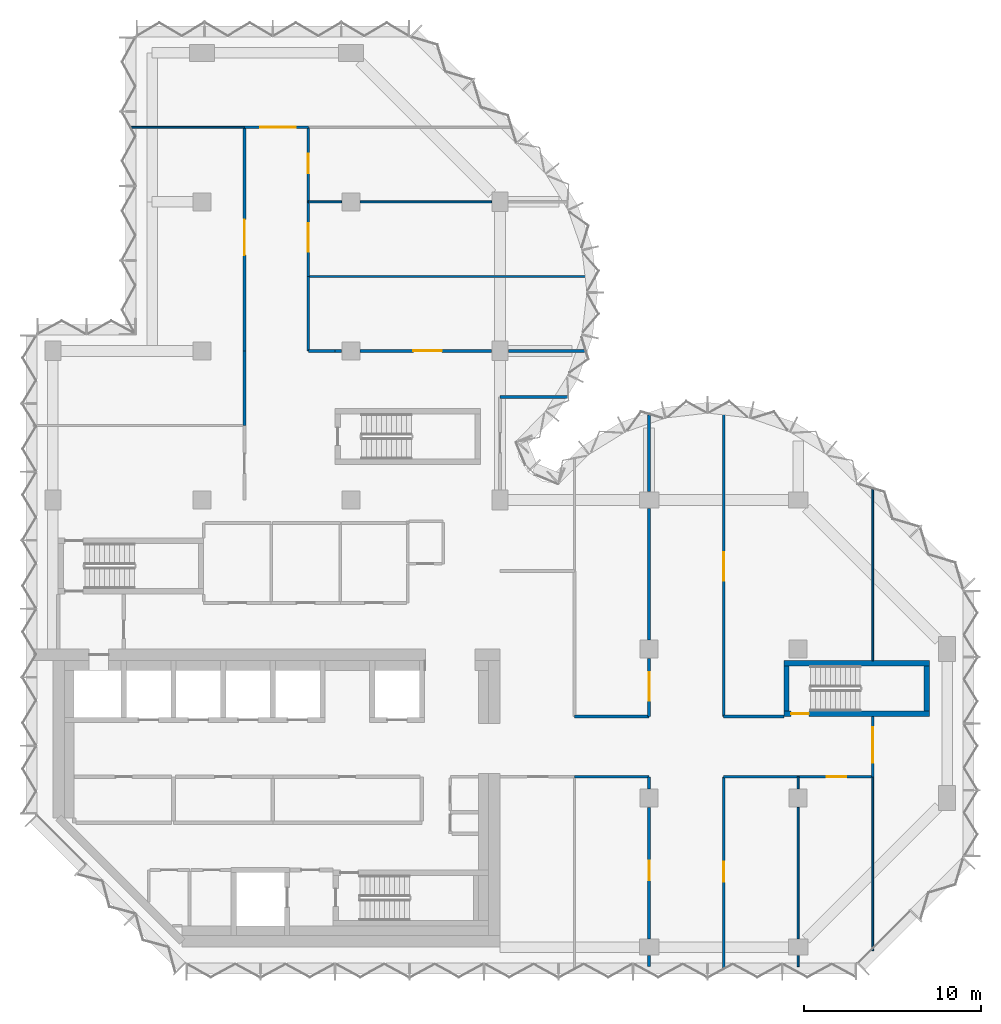
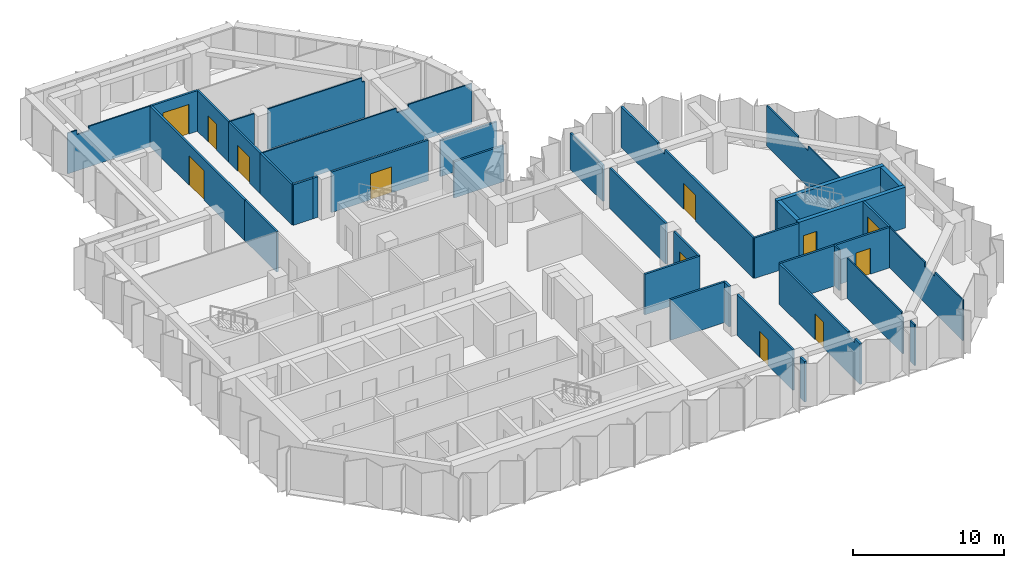
# One storey, part 7 of 10: 38 walls, 12 doors, 12 openings.
"""IFC4 building model written with IfcOpenShell, lengths in metres."""

import ifcopenshell
import ifcopenshell.guid

model = None  # the IFC model being written
_history = None  # IfcOwnerHistory: only IFC2X3 demands one
_inside = {}  # id of a spatial element -> (the spatial element, [elements in it])
_under = {}  # id of a project, library or spatial element -> (it, [spatial elements below it])
_declared = {}  # id of a project -> (the project, [libraries it declares])
_typed = {}  # id of a type object -> (the type object, [elements of that type])
_made_of = {}  # id of a material, layer set ... -> (it, [elements and type objects made of it])


def new_model(schema):
    """Start an empty IFC model of exactly this schema.

    Asked for "IFC4X3", IfcOpenShell would pick the latest addendum, in which some entities
    have other attributes; the version numbers below select the first issue.
    IFC2X3 requires an IfcOwnerHistory on every rooted entity: one is made here for all.
    """
    global model, _history
    if schema == "IFC4X3":
        model = ifcopenshell.file(schema_version=(4, 3, 0, 0))
    else:
        model = ifcopenshell.file(schema=schema)
    _inside.clear()
    _under.clear()
    _declared.clear()
    _typed.clear()
    _made_of.clear()
    _history = None
    if model.schema == "IFC2X3":
        org = make("IfcOrganization", Name="unknown")
        user = make(
            "IfcPersonAndOrganization",
            ThePerson=make("IfcPerson", FamilyName="unknown"),
            TheOrganization=org,
        )
        app = make(
            "IfcApplication",
            ApplicationDeveloper=org,
            Version="unknown",
            ApplicationFullName="unknown",
            ApplicationIdentifier="unknown",
        )
        _history = make(
            "IfcOwnerHistory",
            OwningUser=user,
            OwningApplication=app,
            ChangeAction="ADDED",
            CreationDate=0,
        )
    return model


def make(cls, **values):
    """One entity of the class cls with the attributes given. An attribute that is None is left unset."""
    return model.create_entity(
        cls, **{name: value for name, value in values.items() if value is not None}
    )


def rooted(cls, **values):
    """An entity with a GlobalId (a new one), such as an element, a storey or a relation."""
    return make(cls, GlobalId=ifcopenshell.guid.new(), OwnerHistory=_history, **values)


def si_unit(unit_type, name, prefix=None):
    """IfcSIUnit, for example si_unit("LENGTHUNIT", "METRE", prefix="MILLI")."""
    return make("IfcSIUnit", UnitType=unit_type, Prefix=prefix, Name=name)


def assignment(units):
    """IfcUnitAssignment: the units of a project."""
    return None if units is None else make("IfcUnitAssignment", Units=units)


def point(xyz):
    """IfcCartesianPoint."""
    return None if xyz is None else make("IfcCartesianPoint", Coordinates=xyz)


def direction(xyz):
    """IfcDirection."""
    return None if xyz is None else make("IfcDirection", DirectionRatios=xyz)


def frame(location, z_axis=None, x_axis=None):
    """IfcAxis2Placement3D, a coordinate frame: its origin and axes. An axis left out is left unset."""
    return make(
        "IfcAxis2Placement3D",
        Location=point(location),
        Axis=direction(z_axis),
        RefDirection=direction(x_axis),
    )


def frame_2d(location, x_axis=None):
    """IfcAxis2Placement2D, a coordinate frame in the plane: its origin and x axis."""
    return make(
        "IfcAxis2Placement2D", Location=point(location), RefDirection=direction(x_axis)
    )


def origin():
    """The frame at (0, 0, 0) with its axes left unset."""
    return frame((0.0, 0.0, 0.0))


def place(relative_to, where):
    """IfcLocalPlacement: puts the frame where relative to a parent placement (None: the world)."""
    return make(
        "IfcLocalPlacement", PlacementRelTo=relative_to, RelativePlacement=where
    )


def context(
    kind, dimensions, precision=None, world=None, true_north=None, identifier=None
):
    """IfcGeometricRepresentationContext, for example the 3D "Model" context."""
    return make(
        "IfcGeometricRepresentationContext",
        ContextIdentifier=identifier,
        ContextType=kind,
        CoordinateSpaceDimension=dimensions,
        Precision=precision,
        WorldCoordinateSystem=world,
        TrueNorth=true_north,
    )


def subcontext(parent, identifier, kind, view, scale=None):
    """IfcGeometricRepresentationSubContext, for example "Body" below "Model"."""
    return make(
        "IfcGeometricRepresentationSubContext",
        ContextIdentifier=identifier,
        ContextType=kind,
        ParentContext=parent,
        TargetScale=scale,
        TargetView=view,
    )


def project(units=None, contexts=None):
    """IfcProject with its units and contexts."""
    return rooted(
        "IfcProject",
        Name="project",
        RepresentationContexts=contexts,
        UnitsInContext=assignment(units),
    )


def spatial(cls, under=None, at=None, **own):
    """A site, building, storey or space (cls), placed at a placement, below another one or the project."""
    s = rooted(cls, ObjectPlacement=at, **own)
    if under is not None:
        _under.setdefault(under.id(), (under, []))[1].append(s)
    return s


def polyline(points):
    """IfcPolyline through the points."""
    return make("IfcPolyline", Points=[point(p) for p in points])


def profile(cls, at=None, kind="AREA", **sizes):
    """A parametric profile (cls). Its sizes go by their IFC names, for example OverallWidth=200.0."""
    return make(cls, ProfileType=kind, Position=at, **sizes)


def rectangle(**sizes):
    """IfcRectangleProfileDef."""
    return profile("IfcRectangleProfileDef", **sizes)


def outline(outer, holes=None, kind="AREA"):
    """IfcArbitraryClosedProfileDef: a profile drawn as a closed curve; with holes, ...WithVoids."""
    if holes is None:
        return make("IfcArbitraryClosedProfileDef", ProfileType=kind, OuterCurve=outer)
    return make(
        "IfcArbitraryProfileDefWithVoids",
        ProfileType=kind,
        OuterCurve=outer,
        InnerCurves=holes,
    )


def extrude(swept, where, along, depth):
    """IfcExtrudedAreaSolid: the profile swept, set in the frame where, extruded along a direction by depth."""
    return make(
        "IfcExtrudedAreaSolid",
        SweptArea=swept,
        Position=where,
        ExtrudedDirection=direction(along),
        Depth=depth,
    )


def shape(context_of_items, identifier, shape_type, items):
    """IfcShapeRepresentation: the items that make up one representation, for example the "Body"."""
    return make(
        "IfcShapeRepresentation",
        ContextOfItems=context_of_items,
        RepresentationIdentifier=identifier,
        RepresentationType=shape_type,
        Items=items,
    )


def material(Name=None, Category=None):
    """IfcMaterial."""
    return make("IfcMaterial", Name=Name, Category=Category)


def layer(
    of_material, thickness, ventilated=None, Name=None, Category=None, Priority=None
):
    """IfcMaterialLayer: one layer of a wall or slab, of a material (None: an air gap)."""
    return make(
        "IfcMaterialLayer",
        Material=of_material,
        LayerThickness=thickness,
        IsVentilated=ventilated,
        Name=Name,
        Category=Category,
        Priority=Priority,
    )


def layer_set(layers, Name=None):
    """IfcMaterialLayerSet."""
    return make("IfcMaterialLayerSet", MaterialLayers=layers, LayerSetName=Name)


def made_of(thing, what):
    """Note that an element or type object is made of a material, layer set ...; save() writes the relation."""
    if what is not None:
        _made_of.setdefault(what.id(), (what, []))[1].append(thing)
    return thing


def type_object(cls, material=None, **own):
    """A type object (cls), such as IfcWallType, which elements share."""
    return made_of(rooted(cls, **own), material)


def element(
    cls,
    number,
    at=None,
    inside=None,
    cuts=None,
    type_object=None,
    material=None,
    context=None,
    identifier="Body",
    shape_type=None,
    held_by="IfcProductDefinitionShape",
    body=None,
    shapes=None,
    **own,
):
    """One element of the class cls, such as IfcWall. Its Tag is "e" and its number.

    at: its placement. inside: the storey or other place that contains it. cuts: it is an
    opening in that element (IfcRelVoidsElement). A single representation is given by context,
    identifier, shape_type and body (its items); several are given by shapes. held_by: the class
    of the entity that holds the representations. save() writes the other relations.
    """
    e = rooted(cls, Tag="e%d" % number, ObjectPlacement=at, **own)
    if body is not None:
        shapes = [shape(context, identifier, shape_type, body)]
    if shapes is not None:
        e.Representation = make(held_by, Representations=shapes)
    if inside is not None:
        _inside.setdefault(inside.id(), (inside, []))[1].append(e)
    if cuts is not None:
        rooted(
            "IfcRelVoidsElement", RelatingBuildingElement=cuts, RelatedOpeningElement=e
        )
    if type_object is not None:
        _typed.setdefault(type_object.id(), (type_object, []))[1].append(e)
    return made_of(e, material)


def fill(opening, filler):
    """IfcRelFillsElement: the door or window that sits in an opening."""
    return rooted(
        "IfcRelFillsElement",
        RelatingOpeningElement=opening,
        RelatedBuildingElement=filler,
    )


def aggregate(whole, parts):
    """IfcRelAggregates: a whole, such as a stair, and the parts it consists of."""
    return rooted("IfcRelAggregates", RelatingObject=whole, RelatedObjects=parts)


def save(model, path):
    """Write the relations noted so far, then the file.

    IfcRelAggregates (storeys below a building ...), IfcRelContainedInSpatialStructure (elements
    in a storey), IfcRelDefinesByType, IfcRelAssociatesMaterial and IfcRelDeclares: one each for
    every whole, place, type object, material and project.
    """
    for whole, parts in _under.values():
        aggregate(whole, parts)
    for where, things in _inside.values():
        rooted(
            "IfcRelContainedInSpatialStructure",
            RelatedElements=things,
            RelatingStructure=where,
        )
    for kind, things in _typed.values():
        rooted("IfcRelDefinesByType", RelatedObjects=things, RelatingType=kind)
    for what, things in _made_of.values():
        rooted("IfcRelAssociatesMaterial", RelatedObjects=things, RelatingMaterial=what)
    for by, libraries in _declared.values():
        rooted("IfcRelDeclares", RelatingContext=by, RelatedDefinitions=libraries)
    model.write(path)


model = new_model("IFC4")

# Units and contexts
model_context = context("Model", 3, precision=1e-05, world=origin(), true_north=direction((0.0, 1.0)))
body_context = subcontext(model_context, "Body", "Model", "MODEL_VIEW")
ifc_project = project(units=[si_unit("LENGTHUNIT", "METRE"), si_unit("AREAUNIT", "SQUARE_METRE"), si_unit("VOLUMEUNIT", "CUBIC_METRE"), si_unit("PLANEANGLEUNIT", "RADIAN"), si_unit("MASSUNIT", "GRAM", prefix="KILO")], contexts=[model_context])

# Site, building, storey
site_placement = place(None, origin())
site = spatial("IfcSite", under=ifc_project, at=site_placement, CompositionType="ELEMENT")
building_placement = place(site_placement, origin())
building = spatial("IfcBuilding", under=site, at=building_placement, Name="Brevane Broadcast Tower", CompositionType="ELEMENT")
storey_placement = place(building_placement, frame((0.0, 0.0, 202.800048828125)))
storey = spatial("IfcBuildingStorey", under=building, at=storey_placement, Name="L51", CompositionType="ELEMENT", Elevation=202.800048828125)

# Wall, opening, door
ifc_material_1 = material(Name="Concrete C60/75", Category="concrete")
ifc_layer_1 = layer(ifc_material_1, 0.300048828125)
ifc_layer_set_1 = layer_set([ifc_layer_1], Name="Core wall 300 mm C60/75")
wall_type_1 = type_object("IfcWallType", Name="Core wall 300 mm C60/75", PredefinedType="SHEAR", material=ifc_layer_set_1)
wall_1_placement = place(storey_placement, frame((49.39990234375, 13.14990234375, 0.0), z_axis=(0.0, 0.0, 1.0), x_axis=(-1.0, 0.0, 0.0)))
wall_1 = element("IfcWall", 1, at=wall_1_placement, inside=storey, type_object=wall_type_1, Name="L51 stair wall ST-4-S", PredefinedType="SHEAR", context=body_context, shape_type="SweptSolid", body=[
    extrude(rectangle(XDim=8.199951171875, YDim=0.300048828125, at=frame_2d((4.10009765625, 0.0))), origin(), (0.0, 0.0, 1.0), 3.300048828125),
])
opening_1_placement = place(wall_1_placement, frame((6.800048828125, 0.0, 0.0)))
opening_1 = element("IfcOpeningElement", 2, at=opening_1_placement, cuts=wall_1, Name="Opening L51-K13", PredefinedType="OPENING", context=body_context, shape_type="SweptSolid", body=[
    extrude(rectangle(XDim=1.0, YDim=2.10009765625, at=frame_2d((0.5, 1.050048828125))), frame((0.0, 0.159912109375, 0.0), z_axis=(0.0, -1.0, 0.0), x_axis=(1.0, 0.0, 0.0)), (0.0, 0.0, 1.0), 0.320068359375),
])
ifc_material_2 = material(Name="Steel", Category="steel")
door_type_1 = type_object("IfcDoorType", Name="Stair door 1000 x 2100", OperationType="SINGLE_SWING_LEFT", PredefinedType="DOOR", material=ifc_material_2)
door_1_placement = place(opening_1_placement, origin())
door_1 = element("IfcDoor", 3, at=door_1_placement, inside=storey, type_object=door_type_1, Name="Door L51-K13", OperationType="SINGLE_SWING_LEFT", OverallHeight=2.10009765625, OverallWidth=1.0, PredefinedType="DOOR", context=body_context, shape_type="SweptSolid", body=[
    extrude(rectangle(XDim=1.0, YDim=2.10009765625, at=frame_2d((0.5, 1.050048828125))), frame((0.0, 0.02490234375, 0.0), z_axis=(0.0, -1.0, 0.0), x_axis=(1.0, 0.0, 0.0)), (0.0, 0.0, 1.0), 0.050048828125),
])
fill(opening_1, door_1)

# Walls
wall_2_placement = place(storey_placement, frame((41.199951171875, 16.0, 0.0), z_axis=(0.0, 0.0, 1.0), x_axis=(1.0, 0.0, 0.0)))
element("IfcWall", 4, at=wall_2_placement, inside=storey, type_object=wall_type_1, Name="L51 stair wall ST-4-N", PredefinedType="SHEAR", context=body_context, shape_type="SweptSolid", body=[
    extrude(rectangle(XDim=8.199951171875, YDim=0.300048828125, at=frame_2d((4.10009765625, 0.0))), origin(), (0.0, 0.0, 1.0), 3.300048828125),
])
for number, where, z_axis, x_axis, name in (
    (5, (41.35009765625, 13.300048828125, 0.0), (0.0, 0.0, 1.0), (0.0, 1.0, 0.0), "L51 stair wall ST-4-W"),
    (6, (49.25, 13.300048828125, 0.0), (0.0, 0.0, 1.0), (0.0, 1.0, 0.0), "L51 stair wall ST-4-E"),
):
    element("IfcWall", number, at=place(storey_placement, frame(where, z_axis=z_axis, x_axis=x_axis)), inside=storey, type_object=wall_type_1, Name=name, PredefinedType="SHEAR", context=body_context, shape_type="SweptSolid", body=[
        extrude(rectangle(XDim=2.550048828125, YDim=0.300048828125, at=frame_2d((1.27490234375, 0.0))), origin(), (0.0, 0.0, 1.0), 3.300048828125),
    ])
ifc_material_3 = material(Name="Gypsum board partition")
ifc_layer_2 = layer(ifc_material_3, 0.10009765625)
ifc_layer_set_2 = layer_set([ifc_layer_2], Name="PARTITION 100 STUD")
wall_type_2 = type_object("IfcWallType", Name="PARTITION 100 STUD", PredefinedType="PARTITIONING", material=ifc_layer_set_2)
wall_3_placement = place(storey_placement, frame((46.199951171875, -0.199951171875, 0.0), z_axis=(0.0, 0.0, 1.0), x_axis=(0.0, 1.0, 0.0)))
element("IfcWall", 7, at=wall_3_placement, inside=storey, type_object=wall_type_2, Name="Partition G15-013", PredefinedType="PARTITIONING", context=body_context, shape_type="SweptSolid", body=[
    extrude(outline(polyline([(0.0, 0.0), (9.800048828125, 0.0), (9.800048828125, 3.280029296875), (5.065673828125, 3.280029296875), (5.063720703125, 2.929931640625), (3.736328125, 2.929931640625), (3.734375, 3.280029296875), (0.0, 3.280029296875), (0.0, 0.0)])), frame((0.0, 0.050048828125, 0.0), z_axis=(0.0, -1.0, 0.0), x_axis=(1.0, 0.0, 0.0)), (0.0, 0.0, 1.0), 0.10009765625),
])
wall_4_placement = place(storey_placement, frame((46.199951171875, 16.14990234375, 0.0), z_axis=(0.0, 0.0, 1.0), x_axis=(0.0, 1.0, 0.0)))
element("IfcWall", 8, at=wall_4_placement, inside=storey, type_object=wall_type_2, Name="Partition G15-014", PredefinedType="PARTITIONING", context=body_context, shape_type="SweptSolid", body=[
    extrude(outline(polyline([(0.0, 0.0), (9.655517578125, 0.0), (9.655517578125, 3.280029296875), (9.25, 3.280029296875), (5.515625, 3.280029296875), (5.513671875, 2.929931640625), (4.186279296875, 2.929931640625), (4.184326171875, 3.280029296875), (0.0, 3.280029296875), (0.0, 0.0)])), frame((0.0, 0.050048828125, 0.0), z_axis=(0.0, -1.0, 0.0), x_axis=(1.0, 0.0, 0.0)), (0.0, 0.0, 1.0), 0.10009765625),
])
wall_5_placement = place(storey_placement, frame((42.0, 9.60009765625, 0.0), z_axis=(0.0, 0.0, 1.0), x_axis=(0.0, -1.0, 0.0)))
element("IfcWall", 9, at=wall_5_placement, inside=storey, type_object=wall_type_2, Name="Partition G15-020", PredefinedType="PARTITIONING", context=body_context, shape_type="SweptSolid", body=[
    extrude(rectangle(XDim=0.68017578125, YDim=0.10009765625, at=frame_2d((0.340087890625, 0.0))), origin(), (0.0, 0.0, 1.0), 3.280029296875),
])
wall_6_placement = place(storey_placement, frame((42.0, 7.8798828125, 0.0), z_axis=(0.0, 0.0, 1.0), x_axis=(0.0, -1.0, 0.0)))
element("IfcWall", 10, at=wall_6_placement, inside=storey, type_object=wall_type_2, Name="Partition G15-021", PredefinedType="PARTITIONING", context=body_context, shape_type="SweptSolid", body=[
    extrude(outline(polyline([(0.0, 0.0), (7.409912109375, 0.0), (7.409912109375, 2.929931640625), (7.21630859375, 2.929931640625), (7.21435546875, 3.280029296875), (0.0, 3.280029296875), (0.0, 0.0)])), frame((0.0, 0.050048828125, 0.0), z_axis=(0.0, -1.0, 0.0), x_axis=(1.0, 0.0, 0.0)), (0.0, 0.0, 1.0), 0.10009765625),
])
wall_7_placement = place(storey_placement, frame((42.0, -0.469970703125, 0.0), z_axis=(0.0, 0.0, 1.0), x_axis=(0.0, -1.0, 0.0)))
element("IfcWall", 11, at=wall_7_placement, inside=storey, type_object=wall_type_2, Name="Partition G15-022", PredefinedType="PARTITIONING", context=body_context, shape_type="SweptSolid", body=[
    extrude(rectangle(XDim=0.630126953125, YDim=0.10009765625, at=frame_2d((0.31494140625, 0.0))), origin(), (0.0, 0.0, 1.0), 3.280029296875),
])
wall_8_placement = place(storey_placement, frame((10.800048828125, 46.199951171875, 0.0), z_axis=(0.0, 0.0, 1.0), x_axis=(-1.0, 0.0, 0.0)))
element("IfcWall", 12, at=wall_8_placement, inside=storey, type_object=wall_type_2, Name="Partition G15-038", PredefinedType="PARTITIONING", context=body_context, shape_type="SweptSolid", body=[
    extrude(outline(polyline([(0.0, 0.0), (6.3740234375, 0.0), (6.3740234375, 3.280029296875), (6.300048828125, 3.280029296875), (5.64990234375, 3.280029296875), (5.64794921875, 2.929931640625), (4.751953125, 2.929931640625), (4.75, 3.280029296875), (0.0, 3.280029296875), (0.0, 0.0)])), frame((0.0, 0.050048828125, 0.0), z_axis=(0.0, -1.0, 0.0), x_axis=(1.0, 0.0, 0.0)), (0.0, 0.0, 1.0), 0.10009765625),
])
wall_9_placement = place(storey_placement, frame((14.39990234375, 37.800048828125, 0.0), z_axis=(0.0, 0.0, 1.0), x_axis=(1.0, 0.0, 0.0)))
element("IfcWall", 13, at=wall_9_placement, inside=storey, type_object=wall_type_2, Name="Partition G15-041", PredefinedType="PARTITIONING", context=body_context, shape_type="SweptSolid", body=[
    extrude(outline(polyline([(0.0, 0.0), (16.1259765625, 0.0), (16.1259765625, 3.280029296875), (15.8427734375, 3.280029296875), (11.25, 3.280029296875), (11.248046875, 2.929931640625), (10.35205078125, 2.929931640625), (10.35009765625, 3.280029296875), (0.0, 3.280029296875), (0.0, 0.0)])), frame((0.0, 0.050048828125, 0.0), z_axis=(0.0, -1.0, 0.0), x_axis=(1.0, 0.0, 0.0)), (0.0, 0.0, 1.0), 0.10009765625),
])
wall_10_placement = place(storey_placement, frame((14.39990234375, 42.0, 0.0), z_axis=(0.0, 0.0, 1.0), x_axis=(1.0, 0.0, 0.0)))
element("IfcWall", 14, at=wall_10_placement, inside=storey, type_object=wall_type_2, Name="Partition G15-042", PredefinedType="PARTITIONING", context=body_context, shape_type="SweptSolid", body=[
    extrude(rectangle(XDim=1.880126953125, YDim=0.10009765625, at=frame_2d((0.93994140625, 0.0))), origin(), (0.0, 0.0, 1.0), 3.280029296875),
])
wall_11_placement = place(storey_placement, frame((17.320068359375, 42.0, 0.0), z_axis=(0.0, 0.0, 1.0), x_axis=(1.0, 0.0, 0.0)))
element("IfcWall", 15, at=wall_11_placement, inside=storey, type_object=wall_type_2, Name="Partition G15-043", PredefinedType="PARTITIONING", context=body_context, shape_type="SweptSolid", body=[
    extrude(outline(polyline([(0.0, 0.0), (7.409912109375, 0.0), (7.409912109375, 2.929931640625), (7.21630859375, 2.929931640625), (7.21435546875, 3.280029296875), (0.0, 3.280029296875), (0.0, 0.0)])), frame((0.0, 0.050048828125, 0.0), z_axis=(0.0, -1.0, 0.0), x_axis=(1.0, 0.0, 0.0)), (0.0, 0.0, 1.0), 0.10009765625),
])
ifc_layer_3 = layer(ifc_material_3, 0.14990234375)
ifc_layer_set_3 = layer_set([ifc_layer_3], Name="PARTITION 150 EI 60")
wall_type_3 = type_object("IfcWallType", Name="PARTITION 150 EI 60", PredefinedType="PARTITIONING", material=ifc_layer_set_3)
wall_12_placement = place(storey_placement, frame((25.199951171875, 31.0, 0.0), z_axis=(0.0, 0.0, 1.0), x_axis=(1.0, 0.0, 0.0)))
element("IfcWall", 16, at=wall_12_placement, inside=storey, type_object=wall_type_3, Name="Partition G15-006", PredefinedType="PARTITIONING", context=body_context, shape_type="SweptSolid", body=[
    extrude(rectangle(XDim=3.80615234375, YDim=0.14990234375, at=frame_2d((1.903076171875, 0.0))), origin(), (0.0, 0.0, 1.0), 2.929931640625),
])

# Wall, opening, door
wall_13_placement = place(storey_placement, frame((46.199951171875, 13.0, 0.0), z_axis=(0.0, 0.0, 1.0), x_axis=(0.0, -1.0, 0.0)))
wall_13 = element("IfcWall", 17, at=wall_13_placement, inside=storey, type_object=wall_type_3, Name="Partition G15-007", PredefinedType="PARTITIONING", context=body_context, shape_type="SweptSolid", body=[
    extrude(rectangle(XDim=3.39990234375, YDim=0.14990234375, at=frame_2d((1.699951171875, 0.0))), origin(), (0.0, 0.0, 1.0), 3.280029296875),
])
opening_2_placement = place(wall_13_placement, frame((0.60009765625, 0.0, 0.0)))
opening_2 = element("IfcOpeningElement", 18, at=opening_2_placement, cuts=wall_13, Name="Opening D24-002", PredefinedType="OPENING", context=body_context, shape_type="SweptSolid", body=[
    extrude(rectangle(XDim=2.0, YDim=2.39990234375, at=frame_2d((1.0, 1.199951171875))), frame((0.0, 0.0849609375, 0.0), z_axis=(0.0, -1.0, 0.0), x_axis=(1.0, 0.0, 0.0)), (0.0, 0.0, 1.0), 0.169921875),
])
ifc_material_4 = material(Name="Fire-rated timber door leaf", Category="wood")
door_type_2 = type_object("IfcDoorType", Name="DOOR DOUBLE 2000 FD30S", OperationType="DOUBLE_DOOR_SINGLE_SWING", PredefinedType="DOOR", material=ifc_material_4)
door_2_placement = place(opening_2_placement, origin())
door_2 = element("IfcDoor", 19, at=door_2_placement, inside=storey, type_object=door_type_2, Name="Door D24-002", OperationType="DOUBLE_DOOR_SINGLE_SWING", OverallHeight=2.39990234375, OverallWidth=2.0, PredefinedType="DOOR", context=body_context, shape_type="SweptSolid", body=[
    extrude(rectangle(XDim=2.0, YDim=2.39990234375, at=frame_2d((1.0, 1.199951171875))), frame((0.0, 0.02490234375, 0.0), z_axis=(0.0, -1.0, 0.0), x_axis=(1.0, 0.0, 0.0)), (0.0, 0.0, 1.0), 0.050048828125),
])
fill(opening_2, door_2)

# Walls
wall_14_placement = place(storey_placement, frame((33.60009765625, 9.60009765625, 0.0), z_axis=(0.0, 0.0, 1.0), x_axis=(-1.0, 0.0, 0.0)))
element("IfcWall", 20, at=wall_14_placement, inside=storey, type_object=wall_type_3, Name="Partition G15-008", PredefinedType="PARTITIONING", context=body_context, shape_type="SweptSolid", body=[
    extrude(rectangle(XDim=4.2001953125, YDim=0.14990234375, at=frame_2d((2.10009765625, 0.0))), origin(), (0.0, 0.0, 1.0), 3.280029296875),
])
wall_15_placement = place(storey_placement, frame((42.0, 9.60009765625, 0.0), z_axis=(0.0, 0.0, 1.0), x_axis=(-1.0, 0.0, 0.0)))
element("IfcWall", 21, at=wall_15_placement, inside=storey, type_object=wall_type_3, Name="Partition G15-009", PredefinedType="PARTITIONING", context=body_context, shape_type="SweptSolid", body=[
    extrude(rectangle(XDim=4.199951171875, YDim=0.14990234375, at=frame_2d((2.10009765625, 0.0))), origin(), (0.0, 0.0, 1.0), 3.280029296875),
])

# Wall, opening, door
wall_16_placement = place(storey_placement, frame((46.199951171875, 9.60009765625, 0.0), z_axis=(0.0, 0.0, 1.0), x_axis=(-1.0, 0.0, 0.0)))
wall_16 = element("IfcWall", 22, at=wall_16_placement, inside=storey, type_object=wall_type_3, Name="Partition G15-010", PredefinedType="PARTITIONING", context=body_context, shape_type="SweptSolid", body=[
    extrude(rectangle(XDim=4.199951171875, YDim=0.14990234375, at=frame_2d((2.10009765625, 0.0))), origin(), (0.0, 0.0, 1.0), 3.280029296875),
])
opening_3_placement = place(wall_16_placement, frame((1.5, 0.0, 0.0)))
opening_3 = element("IfcOpeningElement", 23, at=opening_3_placement, cuts=wall_16, Name="Opening D24-006", PredefinedType="OPENING", context=body_context, shape_type="SweptSolid", body=[
    extrude(rectangle(XDim=1.10009765625, YDim=2.10009765625, at=frame_2d((0.550048828125, 1.050048828125))), frame((0.0, 0.0849609375, 0.0), z_axis=(0.0, -1.0, 0.0), x_axis=(1.0, 0.0, 0.0)), (0.0, 0.0, 1.0), 0.169921875),
])
door_type_3 = type_object("IfcDoorType", Name="DOOR SINGLE 1100 FD30S", OperationType="SINGLE_SWING_LEFT", PredefinedType="DOOR", material=ifc_material_4)
door_3_placement = place(opening_3_placement, origin())
door_3 = element("IfcDoor", 24, at=door_3_placement, inside=storey, type_object=door_type_3, Name="Door D24-006", OperationType="SINGLE_SWING_LEFT", OverallHeight=2.10009765625, OverallWidth=1.10009765625, PredefinedType="DOOR", context=body_context, shape_type="SweptSolid", body=[
    extrude(rectangle(XDim=1.10009765625, YDim=2.10009765625, at=frame_2d((0.550048828125, 1.050048828125))), frame((0.0, 0.02490234375, 0.0), z_axis=(0.0, -1.0, 0.0), x_axis=(1.0, 0.0, 0.0)), (0.0, 0.0, 1.0), 0.050048828125),
])
fill(opening_3, door_3)

# Walls
wall_17_placement = place(storey_placement, frame((29.39990234375, 13.0, 0.0), z_axis=(0.0, 0.0, 1.0), x_axis=(1.0, 0.0, 0.0)))
element("IfcWall", 25, at=wall_17_placement, inside=storey, type_object=wall_type_3, Name="Partition G15-011", PredefinedType="PARTITIONING", context=body_context, shape_type="SweptSolid", body=[
    extrude(rectangle(XDim=4.2001953125, YDim=0.14990234375, at=frame_2d((2.10009765625, 0.0))), origin(), (0.0, 0.0, 1.0), 3.280029296875),
])
wall_18_placement = place(storey_placement, frame((37.800048828125, 13.0, 0.0), z_axis=(0.0, 0.0, 1.0), x_axis=(1.0, 0.0, 0.0)))
element("IfcWall", 26, at=wall_18_placement, inside=storey, type_object=wall_type_3, Name="Partition G15-012", PredefinedType="PARTITIONING", context=body_context, shape_type="SweptSolid", body=[
    extrude(rectangle(XDim=3.39990234375, YDim=0.14990234375, at=frame_2d((1.699951171875, 0.0))), origin(), (0.0, 0.0, 1.0), 3.280029296875),
])
wall_19_placement = place(storey_placement, frame((33.60009765625, -1.10009765625, 0.0), z_axis=(0.0, 0.0, 1.0), x_axis=(0.0, 1.0, 0.0)))
element("IfcWall", 27, at=wall_19_placement, inside=storey, type_object=wall_type_3, Name="Partition G15-015", PredefinedType="PARTITIONING", context=body_context, shape_type="SweptSolid", body=[
    extrude(rectangle(XDim=0.630126953125, YDim=0.14990234375, at=frame_2d((0.31494140625, 0.0))), origin(), (0.0, 0.0, 1.0), 3.280029296875),
])

# Wall, opening, door
wall_20_placement = place(storey_placement, frame((33.60009765625, 0.469970703125, 0.0), z_axis=(0.0, 0.0, 1.0), x_axis=(0.0, 1.0, 0.0)))
wall_20 = element("IfcWall", 28, at=wall_20_placement, inside=storey, type_object=wall_type_3, Name="Partition G15-016", PredefinedType="PARTITIONING", context=body_context, shape_type="SweptSolid", body=[
    extrude(rectangle(XDim=7.409912109375, YDim=0.14990234375, at=frame_2d((3.705078125, 0.0))), origin(), (0.0, 0.0, 1.0), 3.280029296875),
])
opening_4_placement = place(wall_20_placement, frame((3.300048828125, 0.0, 0.0)))
opening_4 = element("IfcOpeningElement", 29, at=opening_4_placement, cuts=wall_20, Name="Opening D24-004", PredefinedType="OPENING", context=body_context, shape_type="SweptSolid", body=[
    extrude(rectangle(XDim=1.10009765625, YDim=2.10009765625, at=frame_2d((0.550048828125, 1.050048828125))), frame((0.0, 0.0849609375, 0.0), z_axis=(0.0, -1.0, 0.0), x_axis=(1.0, 0.0, 0.0)), (0.0, 0.0, 1.0), 0.169921875),
])
door_4_placement = place(opening_4_placement, origin())
door_4 = element("IfcDoor", 30, at=door_4_placement, inside=storey, type_object=door_type_3, Name="Door D24-004", OperationType="SINGLE_SWING_LEFT", OverallHeight=2.10009765625, OverallWidth=1.10009765625, PredefinedType="DOOR", context=body_context, shape_type="SweptSolid", body=[
    extrude(rectangle(XDim=1.10009765625, YDim=2.10009765625, at=frame_2d((0.550048828125, 1.050048828125))), frame((0.0, 0.02490234375, 0.0), z_axis=(0.0, -1.0, 0.0), x_axis=(1.0, 0.0, 0.0)), (0.0, 0.0, 1.0), 0.050048828125),
])
fill(opening_4, door_4)

# Wall
wall_21_placement = place(storey_placement, frame((33.60009765625, 8.919921875, 0.0), z_axis=(0.0, 0.0, 1.0), x_axis=(0.0, 1.0, 0.0)))
element("IfcWall", 31, at=wall_21_placement, inside=storey, type_object=wall_type_3, Name="Partition G15-017", PredefinedType="PARTITIONING", context=body_context, shape_type="SweptSolid", body=[
    extrude(rectangle(XDim=0.68017578125, YDim=0.14990234375, at=frame_2d((0.340087890625, 0.0))), origin(), (0.0, 0.0, 1.0), 3.280029296875),
])

# Wall, opening, door
wall_22_placement = place(storey_placement, frame((37.800048828125, 9.60009765625, 0.0), z_axis=(0.0, 0.0, 1.0), x_axis=(0.0, -1.0, 0.0)))
wall_22 = element("IfcWall", 32, at=wall_22_placement, inside=storey, type_object=wall_type_3, Name="Partition G15-018", PredefinedType="PARTITIONING", context=body_context, shape_type="SweptSolid", body=[
    extrude(outline(polyline([(0.0, 0.0), (10.774169921875, 0.0), (10.77392578125, 3.280029296875), (10.699951171875, 3.280029296875), (10.050048828125, 3.280029296875), (10.048095703125, 2.929931640625), (9.152099609375, 2.929931640625), (9.14990234375, 3.280029296875), (0.0, 3.280029296875), (0.0, 0.0)])), frame((0.0, 0.074951171875, 0.0), z_axis=(0.0, -1.0, 0.0), x_axis=(1.0, 0.0, 0.0)), (0.0, 0.0, 1.0), 0.14990234375),
])
opening_5_placement = place(wall_22_placement, frame((4.800048828125, 0.0, 0.0)))
opening_5 = element("IfcOpeningElement", 33, at=opening_5_placement, cuts=wall_22, Name="Opening D24-005", PredefinedType="OPENING", context=body_context, shape_type="SweptSolid", body=[
    extrude(rectangle(XDim=1.10009765625, YDim=2.10009765625, at=frame_2d((0.550048828125, 1.050048828125))), frame((0.0, 0.0849609375, 0.0), z_axis=(0.0, -1.0, 0.0), x_axis=(1.0, 0.0, 0.0)), (0.0, 0.0, 1.0), 0.169921875),
])
door_5_placement = place(opening_5_placement, origin())
door_5 = element("IfcDoor", 34, at=door_5_placement, inside=storey, type_object=door_type_3, Name="Door D24-005", OperationType="SINGLE_SWING_LEFT", OverallHeight=2.10009765625, OverallWidth=1.10009765625, PredefinedType="DOOR", context=body_context, shape_type="SweptSolid", body=[
    extrude(rectangle(XDim=1.10009765625, YDim=2.10009765625, at=frame_2d((0.550048828125, 1.050048828125))), frame((0.0, 0.02490234375, 0.0), z_axis=(0.0, -1.0, 0.0), x_axis=(1.0, 0.0, 0.0)), (0.0, 0.0, 1.0), 0.050048828125),
])
fill(opening_5, door_5)

wall_23_placement = place(storey_placement, frame((33.60009765625, 13.0, 0.0), z_axis=(0.0, 0.0, 1.0), x_axis=(0.0, 1.0, 0.0)))
wall_23 = element("IfcWall", 35, at=wall_23_placement, inside=storey, type_object=wall_type_3, Name="Partition G15-023", PredefinedType="PARTITIONING", context=body_context, shape_type="SweptSolid", body=[
    extrude(rectangle(XDim=3.280029296875, YDim=0.14990234375, at=frame_2d((1.64013671875, 0.0))), origin(), (0.0, 0.0, 1.0), 3.280029296875),
])
opening_6_placement = place(wall_23_placement, frame((0.89990234375, 0.0, 0.0)))
opening_6 = element("IfcOpeningElement", 36, at=opening_6_placement, cuts=wall_23, Name="Opening D24-007", PredefinedType="OPENING", context=body_context, shape_type="SweptSolid", body=[
    extrude(rectangle(XDim=1.60009765625, YDim=2.10009765625, at=frame_2d((0.800048828125, 1.050048828125))), frame((0.0, 0.0849609375, 0.0), z_axis=(0.0, -1.0, 0.0), x_axis=(1.0, 0.0, 0.0)), (0.0, 0.0, 1.0), 0.169921875),
])
door_type_4 = type_object("IfcDoorType", Name="DOOR DOUBLE 1600 FD30S", OperationType="DOUBLE_DOOR_SINGLE_SWING", PredefinedType="DOOR", material=ifc_material_4)
door_6_placement = place(opening_6_placement, origin())
door_6 = element("IfcDoor", 37, at=door_6_placement, inside=storey, type_object=door_type_4, Name="Door D24-007", OperationType="DOUBLE_DOOR_SINGLE_SWING", OverallHeight=2.10009765625, OverallWidth=1.60009765625, PredefinedType="DOOR", context=body_context, shape_type="SweptSolid", body=[
    extrude(rectangle(XDim=1.60009765625, YDim=2.10009765625, at=frame_2d((0.800048828125, 1.050048828125))), frame((0.0, 0.02490234375, 0.0), z_axis=(0.0, -1.0, 0.0), x_axis=(1.0, 0.0, 0.0)), (0.0, 0.0, 1.0), 0.050048828125),
])
fill(opening_6, door_6)

# Walls
wall_24_placement = place(storey_placement, frame((33.60009765625, 17.320068359375, 0.0), z_axis=(0.0, 0.0, 1.0), x_axis=(0.0, 1.0, 0.0)))
element("IfcWall", 38, at=wall_24_placement, inside=storey, type_object=wall_type_3, Name="Partition G15-024", PredefinedType="PARTITIONING", context=body_context, shape_type="SweptSolid", body=[
    extrude(rectangle(XDim=7.409912109375, YDim=0.14990234375, at=frame_2d((3.705078125, 0.0))), origin(), (0.0, 0.0, 1.0), 3.280029296875),
])
wall_25_placement = place(storey_placement, frame((33.60009765625, 25.669921875, 0.0), z_axis=(0.0, 0.0, 1.0), x_axis=(0.0, 1.0, 0.0)))
element("IfcWall", 39, at=wall_25_placement, inside=storey, type_object=wall_type_3, Name="Partition G15-025", PredefinedType="PARTITIONING", context=body_context, shape_type="SweptSolid", body=[
    extrude(rectangle(XDim=4.318359375, YDim=0.14990234375, at=frame_2d((2.1591796875, 0.0))), origin(), (0.0, 0.0, 1.0), 2.929931640625),
])

# Wall, opening, door
wall_26_placement = place(storey_placement, frame((37.800048828125, 30.52587890625, 0.0), z_axis=(0.0, 0.0, 1.0), x_axis=(0.0, -1.0, 0.0)))
wall_26 = element("IfcWall", 40, at=wall_26_placement, inside=storey, type_object=wall_type_3, Name="Partition G15-026", PredefinedType="PARTITIONING", context=body_context, shape_type="SweptSolid", body=[
    extrude(outline(polyline([(0.0, 0.0), (17.52587890625, 0.0), (17.52587890625, 3.280029296875), (5.77587890625, 3.280029296875), (5.77392578125, 2.929931640625), (4.8779296875, 2.929931640625), (4.8759765625, 3.280029296875), (0.283203125, 3.280029296875), (0.0, 3.280029296875), (0.0, 0.0)])), frame((0.0, 0.074951171875, 0.0), z_axis=(0.0, -1.0, 0.0), x_axis=(1.0, 0.0, 0.0)), (0.0, 0.0, 1.0), 0.14990234375),
])
opening_7_placement = place(wall_26_placement, frame((8.283203125, 0.0, 0.0)))
opening_7 = element("IfcOpeningElement", 41, at=opening_7_placement, cuts=wall_26, Name="Opening D24-008", PredefinedType="OPENING", context=body_context, shape_type="SweptSolid", body=[
    extrude(rectangle(XDim=1.60009765625, YDim=2.10009765625, at=frame_2d((0.800048828125, 1.050048828125))), frame((0.0, 0.0849609375, 0.0), z_axis=(0.0, -1.0, 0.0), x_axis=(1.0, 0.0, 0.0)), (0.0, 0.0, 1.0), 0.169921875),
])
door_7_placement = place(opening_7_placement, origin())
door_7 = element("IfcDoor", 42, at=door_7_placement, inside=storey, type_object=door_type_4, Name="Door D24-008", OperationType="DOUBLE_DOOR_SINGLE_SWING", OverallHeight=2.10009765625, OverallWidth=1.60009765625, PredefinedType="DOOR", context=body_context, shape_type="SweptSolid", body=[
    extrude(rectangle(XDim=1.60009765625, YDim=2.10009765625, at=frame_2d((0.800048828125, 1.050048828125))), frame((0.0, 0.02490234375, 0.0), z_axis=(0.0, -1.0, 0.0), x_axis=(1.0, 0.0, 0.0)), (0.0, 0.0, 1.0), 0.050048828125),
])
fill(opening_7, door_7)

# Walls
wall_27_placement = place(storey_placement, frame((10.800048828125, 29.39990234375, 0.0), z_axis=(0.0, 0.0, 1.0), x_axis=(0.0, 1.0, 0.0)))
element("IfcWall", 43, at=wall_27_placement, inside=storey, type_object=wall_type_3, Name="Partition G15-028", PredefinedType="PARTITIONING", context=body_context, shape_type="SweptSolid", body=[
    extrude(rectangle(XDim=4.2001953125, YDim=0.14990234375, at=frame_2d((2.10009765625, 0.0))), origin(), (0.0, 0.0, 1.0), 3.280029296875),
])
wall_28_placement = place(storey_placement, frame((14.39990234375, 33.60009765625, 0.0), z_axis=(0.0, 0.0, 1.0), x_axis=(1.0, 0.0, 0.0)))
element("IfcWall", 44, at=wall_28_placement, inside=storey, type_object=wall_type_3, Name="Partition G15-029", PredefinedType="PARTITIONING", context=body_context, shape_type="SweptSolid", body=[
    extrude(rectangle(XDim=1.5, YDim=0.14990234375, at=frame_2d((0.75, 0.0))), origin(), (0.0, 0.0, 1.0), 3.280029296875),
])
wall_29_placement = place(storey_placement, frame((15.89990234375, 33.60009765625, 0.0), z_axis=(0.0, 0.0, 1.0), x_axis=(1.0, 0.0, 0.0)))
element("IfcWall", 45, at=wall_29_placement, inside=storey, type_object=wall_type_3, Name="Partition G15-030", PredefinedType="PARTITIONING", context=body_context, shape_type="SweptSolid", body=[
    extrude(rectangle(XDim=0.380126953125, YDim=0.14990234375, at=frame_2d((0.18994140625, 0.0))), origin(), (0.0, 0.0, 1.0), 3.280029296875),
])

# Wall, opening, door
wall_30_placement = place(storey_placement, frame((17.320068359375, 33.60009765625, 0.0), z_axis=(0.0, 0.0, 1.0), x_axis=(1.0, 0.0, 0.0)))
wall_30 = element("IfcWall", 46, at=wall_30_placement, inside=storey, type_object=wall_type_3, Name="Partition G15-031", PredefinedType="PARTITIONING", context=body_context, shape_type="SweptSolid", body=[
    extrude(rectangle(XDim=7.409912109375, YDim=0.14990234375, at=frame_2d((3.705078125, 0.0))), origin(), (0.0, 0.0, 1.0), 3.280029296875),
])
opening_8_placement = place(wall_30_placement, frame((3.0, 0.0, 0.0)))
opening_8 = element("IfcOpeningElement", 47, at=opening_8_placement, cuts=wall_30, Name="Opening D24-012", PredefinedType="OPENING", context=body_context, shape_type="SweptSolid", body=[
    extrude(rectangle(XDim=1.60009765625, YDim=2.10009765625, at=frame_2d((0.800048828125, 1.050048828125))), frame((0.0, 0.0849609375, 0.0), z_axis=(0.0, -1.0, 0.0), x_axis=(1.0, 0.0, 0.0)), (0.0, 0.0, 1.0), 0.169921875),
])
door_8_placement = place(opening_8_placement, origin())
door_8 = element("IfcDoor", 48, at=door_8_placement, inside=storey, type_object=door_type_4, Name="Door D24-012", OperationType="DOUBLE_DOOR_SINGLE_SWING", OverallHeight=2.10009765625, OverallWidth=1.60009765625, PredefinedType="DOOR", context=body_context, shape_type="SweptSolid", body=[
    extrude(rectangle(XDim=1.60009765625, YDim=2.10009765625, at=frame_2d((0.800048828125, 1.050048828125))), frame((0.0, 0.02490234375, 0.0), z_axis=(0.0, -1.0, 0.0), x_axis=(1.0, 0.0, 0.0)), (0.0, 0.0, 1.0), 0.050048828125),
])
fill(opening_8, door_8)

# Wall
wall_31_placement = place(storey_placement, frame((25.669921875, 33.60009765625, 0.0), z_axis=(0.0, 0.0, 1.0), x_axis=(1.0, 0.0, 0.0)))
element("IfcWall", 49, at=wall_31_placement, inside=storey, type_object=wall_type_3, Name="Partition G15-032", PredefinedType="PARTITIONING", context=body_context, shape_type="SweptSolid", body=[
    extrude(rectangle(XDim=4.318359375, YDim=0.14990234375, at=frame_2d((2.1591796875, 0.0))), origin(), (0.0, 0.0, 1.0), 2.929931640625),
])

# Wall, opening, door
wall_32_placement = place(storey_placement, frame((10.800048828125, 46.199951171875, 0.0), z_axis=(0.0, 0.0, 1.0), x_axis=(1.0, 0.0, 0.0)))
wall_32 = element("IfcWall", 50, at=wall_32_placement, inside=storey, type_object=wall_type_3, Name="Partition G15-033", PredefinedType="PARTITIONING", context=body_context, shape_type="SweptSolid", body=[
    extrude(rectangle(XDim=3.599853515625, YDim=0.14990234375, at=frame_2d((1.7998046875, 0.0))), origin(), (0.0, 0.0, 1.0), 3.280029296875),
])
opening_9_placement = place(wall_32_placement, frame((0.89990234375, 0.0, 0.0)))
opening_9 = element("IfcOpeningElement", 51, at=opening_9_placement, cuts=wall_32, Name="Opening D24-009", PredefinedType="OPENING", context=body_context, shape_type="SweptSolid", body=[
    extrude(rectangle(XDim=2.0, YDim=2.39990234375, at=frame_2d((1.0, 1.199951171875))), frame((0.0, 0.0849609375, 0.0), z_axis=(0.0, -1.0, 0.0), x_axis=(1.0, 0.0, 0.0)), (0.0, 0.0, 1.0), 0.169921875),
])
door_9_placement = place(opening_9_placement, origin())
door_9 = element("IfcDoor", 52, at=door_9_placement, inside=storey, type_object=door_type_2, Name="Door D24-009", OperationType="DOUBLE_DOOR_SINGLE_SWING", OverallHeight=2.39990234375, OverallWidth=2.0, PredefinedType="DOOR", context=body_context, shape_type="SweptSolid", body=[
    extrude(rectangle(XDim=2.0, YDim=2.39990234375, at=frame_2d((1.0, 1.199951171875))), frame((0.0, 0.02490234375, 0.0), z_axis=(0.0, -1.0, 0.0), x_axis=(1.0, 0.0, 0.0)), (0.0, 0.0, 1.0), 0.050048828125),
])
fill(opening_9, door_9)

wall_33_placement = place(storey_placement, frame((10.800048828125, 33.60009765625, 0.0), z_axis=(0.0, 0.0, 1.0), x_axis=(0.0, 1.0, 0.0)))
wall_33 = element("IfcWall", 53, at=wall_33_placement, inside=storey, type_object=wall_type_3, Name="Partition G15-034", PredefinedType="PARTITIONING", context=body_context, shape_type="SweptSolid", body=[
    extrude(rectangle(XDim=12.599853515625, YDim=0.14990234375, at=frame_2d((6.2998046875, 0.0))), origin(), (0.0, 0.0, 1.0), 3.280029296875),
])
opening_10_placement = place(wall_33_placement, frame((5.39990234375, 0.0, 0.0)))
opening_10 = element("IfcOpeningElement", 54, at=opening_10_placement, cuts=wall_33, Name="Opening D24-011", PredefinedType="OPENING", context=body_context, shape_type="SweptSolid", body=[
    extrude(rectangle(XDim=2.0, YDim=2.39990234375, at=frame_2d((1.0, 1.199951171875))), frame((0.0, 0.0849609375, 0.0), z_axis=(0.0, -1.0, 0.0), x_axis=(1.0, 0.0, 0.0)), (0.0, 0.0, 1.0), 0.169921875),
])
door_10_placement = place(opening_10_placement, origin())
door_10 = element("IfcDoor", 55, at=door_10_placement, inside=storey, type_object=door_type_2, Name="Door D24-011", OperationType="DOUBLE_DOOR_SINGLE_SWING", OverallHeight=2.39990234375, OverallWidth=2.0, PredefinedType="DOOR", context=body_context, shape_type="SweptSolid", body=[
    extrude(rectangle(XDim=2.0, YDim=2.39990234375, at=frame_2d((1.0, 1.199951171875))), frame((0.0, 0.02490234375, 0.0), z_axis=(0.0, -1.0, 0.0), x_axis=(1.0, 0.0, 0.0)), (0.0, 0.0, 1.0), 0.050048828125),
])
fill(opening_10, door_10)

# Wall
wall_34_placement = place(storey_placement, frame((14.39990234375, 37.800048828125, 0.0), z_axis=(0.0, 0.0, 1.0), x_axis=(0.0, -1.0, 0.0)))
element("IfcWall", 56, at=wall_34_placement, inside=storey, type_object=wall_type_3, Name="Partition G15-035", PredefinedType="PARTITIONING", context=body_context, shape_type="SweptSolid", body=[
    extrude(rectangle(XDim=4.199951171875, YDim=0.14990234375, at=frame_2d((2.10009765625, 0.0))), origin(), (0.0, 0.0, 1.0), 3.280029296875),
])

# Wall, opening, door
wall_35_placement = place(storey_placement, frame((14.39990234375, 42.0, 0.0), z_axis=(0.0, 0.0, 1.0), x_axis=(0.0, -1.0, 0.0)))
wall_35 = element("IfcWall", 57, at=wall_35_placement, inside=storey, type_object=wall_type_3, Name="Partition G15-036", PredefinedType="PARTITIONING", context=body_context, shape_type="SweptSolid", body=[
    extrude(rectangle(XDim=4.199951171875, YDim=0.14990234375, at=frame_2d((2.10009765625, 0.0))), origin(), (0.0, 0.0, 1.0), 3.280029296875),
])
opening_11_placement = place(wall_35_placement, frame((1.199951171875, 0.0, 0.0)))
opening_11 = element("IfcOpeningElement", 58, at=opening_11_placement, cuts=wall_35, Name="Opening D24-013", PredefinedType="OPENING", context=body_context, shape_type="SweptSolid", body=[
    extrude(rectangle(XDim=1.60009765625, YDim=2.10009765625, at=frame_2d((0.800048828125, 1.050048828125))), frame((0.0, 0.0849609375, 0.0), z_axis=(0.0, -1.0, 0.0), x_axis=(1.0, 0.0, 0.0)), (0.0, 0.0, 1.0), 0.169921875),
])
door_11_placement = place(opening_11_placement, origin())
door_11 = element("IfcDoor", 59, at=door_11_placement, inside=storey, type_object=door_type_4, Name="Door D24-013", OperationType="DOUBLE_DOOR_SINGLE_SWING", OverallHeight=2.10009765625, OverallWidth=1.60009765625, PredefinedType="DOOR", context=body_context, shape_type="SweptSolid", body=[
    extrude(rectangle(XDim=1.60009765625, YDim=2.10009765625, at=frame_2d((0.800048828125, 1.050048828125))), frame((0.0, 0.02490234375, 0.0), z_axis=(0.0, -1.0, 0.0), x_axis=(1.0, 0.0, 0.0)), (0.0, 0.0, 1.0), 0.050048828125),
])
fill(opening_11, door_11)

wall_36_placement = place(storey_placement, frame((14.39990234375, 46.199951171875, 0.0), z_axis=(0.0, 0.0, 1.0), x_axis=(0.0, -1.0, 0.0)))
wall_36 = element("IfcWall", 60, at=wall_36_placement, inside=storey, type_object=wall_type_3, Name="Partition G15-037", PredefinedType="PARTITIONING", context=body_context, shape_type="SweptSolid", body=[
    extrude(rectangle(XDim=4.199951171875, YDim=0.14990234375, at=frame_2d((2.10009765625, 0.0))), origin(), (0.0, 0.0, 1.0), 3.280029296875),
])
opening_12_placement = place(wall_36_placement, frame((1.5, 0.0, 0.0)))
opening_12 = element("IfcOpeningElement", 61, at=opening_12_placement, cuts=wall_36, Name="Opening D24-014", PredefinedType="OPENING", context=body_context, shape_type="SweptSolid", body=[
    extrude(rectangle(XDim=1.10009765625, YDim=2.10009765625, at=frame_2d((0.550048828125, 1.050048828125))), frame((0.0, 0.0849609375, 0.0), z_axis=(0.0, -1.0, 0.0), x_axis=(1.0, 0.0, 0.0)), (0.0, 0.0, 1.0), 0.169921875),
])
door_12_placement = place(opening_12_placement, origin())
door_12 = element("IfcDoor", 62, at=door_12_placement, inside=storey, type_object=door_type_3, Name="Door D24-014", OperationType="SINGLE_SWING_LEFT", OverallHeight=2.10009765625, OverallWidth=1.10009765625, PredefinedType="DOOR", context=body_context, shape_type="SweptSolid", body=[
    extrude(rectangle(XDim=1.10009765625, YDim=2.10009765625, at=frame_2d((0.550048828125, 1.050048828125))), frame((0.0, 0.02490234375, 0.0), z_axis=(0.0, -1.0, 0.0), x_axis=(1.0, 0.0, 0.0)), (0.0, 0.0, 1.0), 0.050048828125),
])
fill(opening_12, door_12)

save(model, "model.ifc")
